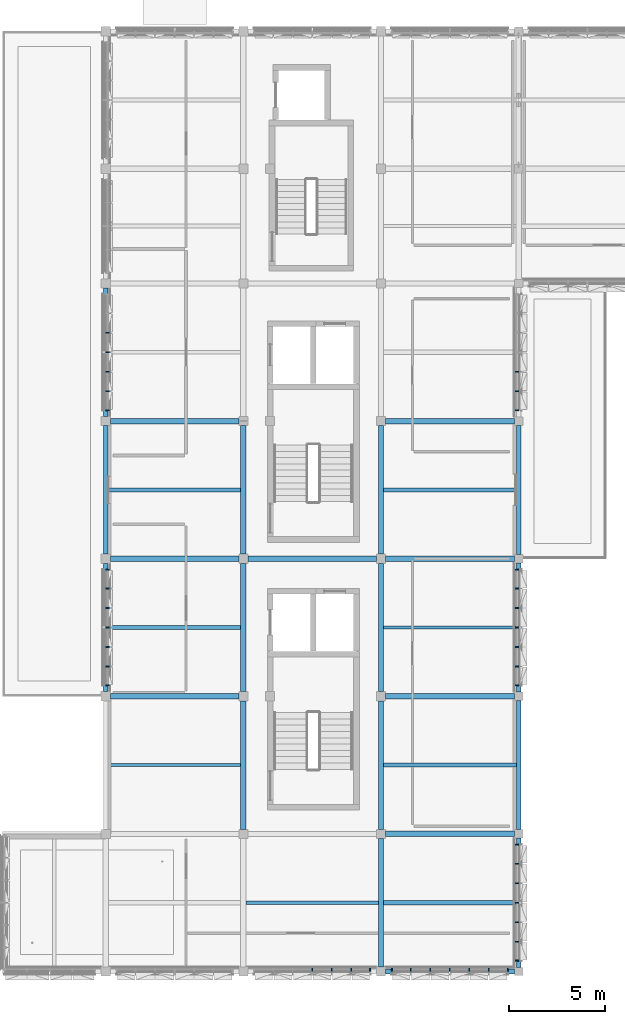
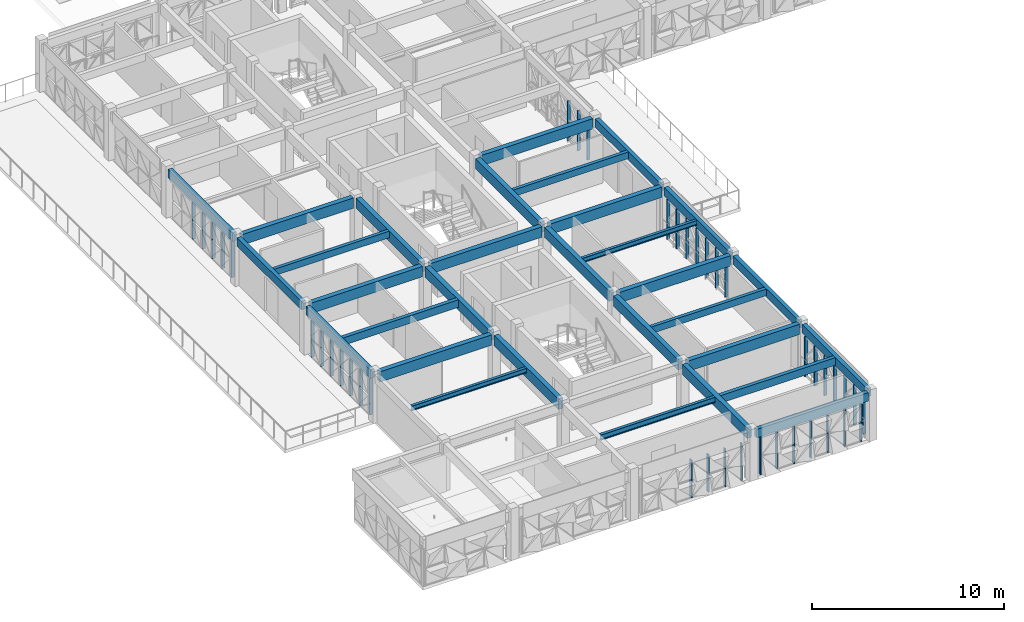
# One storey, part 3 of 35: 40 members, 31 beams, 7 elements without a shape of their own.
"""IFC4 building model written with IfcOpenShell, lengths in metres."""

import ifcopenshell
import ifcopenshell.guid

model = None  # the IFC model being written
_history = None  # IfcOwnerHistory: only IFC2X3 demands one
_inside = {}  # id of a spatial element -> (the spatial element, [elements in it])
_under = {}  # id of a project, library or spatial element -> (it, [spatial elements below it])
_declared = {}  # id of a project -> (the project, [libraries it declares])
_typed = {}  # id of a type object -> (the type object, [elements of that type])
_made_of = {}  # id of a material, layer set ... -> (it, [elements and type objects made of it])


def new_model(schema):
    """Start an empty IFC model of exactly this schema.

    Asked for "IFC4X3", IfcOpenShell would pick the latest addendum, in which some entities
    have other attributes; the version numbers below select the first issue.
    IFC2X3 requires an IfcOwnerHistory on every rooted entity: one is made here for all.
    """
    global model, _history
    if schema == "IFC4X3":
        model = ifcopenshell.file(schema_version=(4, 3, 0, 0))
    else:
        model = ifcopenshell.file(schema=schema)
    _inside.clear()
    _under.clear()
    _declared.clear()
    _typed.clear()
    _made_of.clear()
    _history = None
    if model.schema == "IFC2X3":
        org = make("IfcOrganization", Name="unknown")
        user = make(
            "IfcPersonAndOrganization",
            ThePerson=make("IfcPerson", FamilyName="unknown"),
            TheOrganization=org,
        )
        app = make(
            "IfcApplication",
            ApplicationDeveloper=org,
            Version="unknown",
            ApplicationFullName="unknown",
            ApplicationIdentifier="unknown",
        )
        _history = make(
            "IfcOwnerHistory",
            OwningUser=user,
            OwningApplication=app,
            ChangeAction="ADDED",
            CreationDate=0,
        )
    return model


def make(cls, **values):
    """One entity of the class cls with the attributes given. An attribute that is None is left unset."""
    return model.create_entity(
        cls, **{name: value for name, value in values.items() if value is not None}
    )


def rooted(cls, **values):
    """An entity with a GlobalId (a new one), such as an element, a storey or a relation."""
    return make(cls, GlobalId=ifcopenshell.guid.new(), OwnerHistory=_history, **values)


def si_unit(unit_type, name, prefix=None):
    """IfcSIUnit, for example si_unit("LENGTHUNIT", "METRE", prefix="MILLI")."""
    return make("IfcSIUnit", UnitType=unit_type, Prefix=prefix, Name=name)


def assignment(units):
    """IfcUnitAssignment: the units of a project."""
    return None if units is None else make("IfcUnitAssignment", Units=units)


def point(xyz):
    """IfcCartesianPoint."""
    return None if xyz is None else make("IfcCartesianPoint", Coordinates=xyz)


def direction(xyz):
    """IfcDirection."""
    return None if xyz is None else make("IfcDirection", DirectionRatios=xyz)


def frame(location, z_axis=None, x_axis=None):
    """IfcAxis2Placement3D, a coordinate frame: its origin and axes. An axis left out is left unset."""
    return make(
        "IfcAxis2Placement3D",
        Location=point(location),
        Axis=direction(z_axis),
        RefDirection=direction(x_axis),
    )


def frame_2d(location, x_axis=None):
    """IfcAxis2Placement2D, a coordinate frame in the plane: its origin and x axis."""
    return make(
        "IfcAxis2Placement2D", Location=point(location), RefDirection=direction(x_axis)
    )


def origin():
    """The frame at (0, 0, 0) with its axes left unset."""
    return frame((0.0, 0.0, 0.0))


def origin_2d():
    """The frame at (0, 0) in the plane with its x axis left unset."""
    return frame_2d((0.0, 0.0))


def place(relative_to, where):
    """IfcLocalPlacement: puts the frame where relative to a parent placement (None: the world)."""
    return make(
        "IfcLocalPlacement", PlacementRelTo=relative_to, RelativePlacement=where
    )


def context(
    kind, dimensions, precision=None, world=None, true_north=None, identifier=None
):
    """IfcGeometricRepresentationContext, for example the 3D "Model" context."""
    return make(
        "IfcGeometricRepresentationContext",
        ContextIdentifier=identifier,
        ContextType=kind,
        CoordinateSpaceDimension=dimensions,
        Precision=precision,
        WorldCoordinateSystem=world,
        TrueNorth=true_north,
    )


def subcontext(parent, identifier, kind, view, scale=None):
    """IfcGeometricRepresentationSubContext, for example "Body" below "Model"."""
    return make(
        "IfcGeometricRepresentationSubContext",
        ContextIdentifier=identifier,
        ContextType=kind,
        ParentContext=parent,
        TargetScale=scale,
        TargetView=view,
    )


def project(units=None, contexts=None):
    """IfcProject with its units and contexts."""
    return rooted(
        "IfcProject",
        Name="project",
        RepresentationContexts=contexts,
        UnitsInContext=assignment(units),
    )


def spatial(cls, under=None, at=None, **own):
    """A site, building, storey or space (cls), placed at a placement, below another one or the project."""
    s = rooted(cls, ObjectPlacement=at, **own)
    if under is not None:
        _under.setdefault(under.id(), (under, []))[1].append(s)
    return s


def profile(cls, at=None, kind="AREA", **sizes):
    """A parametric profile (cls). Its sizes go by their IFC names, for example OverallWidth=200.0."""
    return make(cls, ProfileType=kind, Position=at, **sizes)


def rectangle(**sizes):
    """IfcRectangleProfileDef."""
    return profile("IfcRectangleProfileDef", **sizes)


def i_section(**sizes):
    """IfcIShapeProfileDef."""
    return profile("IfcIShapeProfileDef", **sizes)


def extrude(swept, where, along, depth):
    """IfcExtrudedAreaSolid: the profile swept, set in the frame where, extruded along a direction by depth."""
    return make(
        "IfcExtrudedAreaSolid",
        SweptArea=swept,
        Position=where,
        ExtrudedDirection=direction(along),
        Depth=depth,
    )


def shape(context_of_items, identifier, shape_type, items):
    """IfcShapeRepresentation: the items that make up one representation, for example the "Body"."""
    return make(
        "IfcShapeRepresentation",
        ContextOfItems=context_of_items,
        RepresentationIdentifier=identifier,
        RepresentationType=shape_type,
        Items=items,
    )


def material(Name=None, Category=None):
    """IfcMaterial."""
    return make("IfcMaterial", Name=Name, Category=Category)


def material_profile(
    of_material, cross_section, Name=None, Category=None, Priority=None
):
    """IfcMaterialProfile: a cross section and its material."""
    return make(
        "IfcMaterialProfile",
        Name=Name,
        Material=of_material,
        Profile=cross_section,
        Priority=Priority,
        Category=Category,
    )


def profile_set(profiles, Name=None, composite=None):
    """IfcMaterialProfileSet."""
    return make(
        "IfcMaterialProfileSet",
        Name=Name,
        MaterialProfiles=profiles,
        CompositeProfile=composite,
    )


def made_of(thing, what):
    """Note that an element or type object is made of a material, layer set ...; save() writes the relation."""
    if what is not None:
        _made_of.setdefault(what.id(), (what, []))[1].append(thing)
    return thing


def type_object(cls, material=None, **own):
    """A type object (cls), such as IfcWallType, which elements share."""
    return made_of(rooted(cls, **own), material)


def element(
    cls,
    number,
    at=None,
    inside=None,
    cuts=None,
    type_object=None,
    material=None,
    context=None,
    identifier="Body",
    shape_type=None,
    held_by="IfcProductDefinitionShape",
    body=None,
    shapes=None,
    **own,
):
    """One element of the class cls, such as IfcWall. Its Tag is "e" and its number.

    at: its placement. inside: the storey or other place that contains it. cuts: it is an
    opening in that element (IfcRelVoidsElement). A single representation is given by context,
    identifier, shape_type and body (its items); several are given by shapes. held_by: the class
    of the entity that holds the representations. save() writes the other relations.
    """
    e = rooted(cls, Tag="e%d" % number, ObjectPlacement=at, **own)
    if body is not None:
        shapes = [shape(context, identifier, shape_type, body)]
    if shapes is not None:
        e.Representation = make(held_by, Representations=shapes)
    if inside is not None:
        _inside.setdefault(inside.id(), (inside, []))[1].append(e)
    if cuts is not None:
        rooted(
            "IfcRelVoidsElement", RelatingBuildingElement=cuts, RelatedOpeningElement=e
        )
    if type_object is not None:
        _typed.setdefault(type_object.id(), (type_object, []))[1].append(e)
    return made_of(e, material)


def aggregate(whole, parts):
    """IfcRelAggregates: a whole, such as a stair, and the parts it consists of."""
    return rooted("IfcRelAggregates", RelatingObject=whole, RelatedObjects=parts)


def save(model, path):
    """Write the relations noted so far, then the file.

    IfcRelAggregates (storeys below a building ...), IfcRelContainedInSpatialStructure (elements
    in a storey), IfcRelDefinesByType, IfcRelAssociatesMaterial and IfcRelDeclares: one each for
    every whole, place, type object, material and project.
    """
    for whole, parts in _under.values():
        aggregate(whole, parts)
    for where, things in _inside.values():
        rooted(
            "IfcRelContainedInSpatialStructure",
            RelatedElements=things,
            RelatingStructure=where,
        )
    for kind, things in _typed.values():
        rooted("IfcRelDefinesByType", RelatedObjects=things, RelatingType=kind)
    for what, things in _made_of.values():
        rooted("IfcRelAssociatesMaterial", RelatedObjects=things, RelatingMaterial=what)
    for by, libraries in _declared.values():
        rooted("IfcRelDeclares", RelatingContext=by, RelatedDefinitions=libraries)
    model.write(path)


model = new_model("IFC4")

# Units and contexts
model_context = context("Model", 3, precision=1e-05, world=origin(), true_north=direction((0.0, 1.0)))
body_context = subcontext(model_context, "Body", "Model", "MODEL_VIEW")
ifc_project = project(units=[si_unit("LENGTHUNIT", "METRE"), si_unit("AREAUNIT", "SQUARE_METRE"), si_unit("VOLUMEUNIT", "CUBIC_METRE"), si_unit("PLANEANGLEUNIT", "RADIAN"), si_unit("MASSUNIT", "GRAM", prefix="KILO")], contexts=[model_context])

# Site, building, storey
site_placement = place(None, origin())
site = spatial("IfcSite", under=ifc_project, at=site_placement, CompositionType="ELEMENT")
building_placement = place(site_placement, origin())
building = spatial("IfcBuilding", under=site, at=building_placement, Name="Alvorim Cloister Faculty of Sciences", CompositionType="ELEMENT")
storey_placement = place(building_placement, frame((0.0, 0.0, 22.949951171875)))
storey = spatial("IfcBuildingStorey", under=building, at=storey_placement, Name="L06", CompositionType="ELEMENT", Elevation=22.949951171875)

# Beams
ifc_material_1 = material(Name="Glulam GL28h", Category="wood")
ifc_material_profile_1 = material_profile(ifc_material_1, rectangle(XDim=0.280029296875, YDim=0.659912109375, at=origin_2d()), Name="GL28-BM-280x660")
ifc_profile_set_1 = profile_set([ifc_material_profile_1], Name="Glulam GL28h")
beam_type_1 = type_object("IfcBeamType", Name="BM-GL-280x660", PredefinedType="BEAM", material=ifc_profile_set_1)
beam_1_placement = place(storey_placement, frame((21.840087890625, 14.39990234375, 2.760009765625), z_axis=(1.0, 0.0, 0.0), x_axis=(0.0, 1.0, 0.0)))
element("IfcBeam", 1, at=beam_1_placement, inside=storey, type_object=beam_type_1, Name="L06 Primary Beam BM-2039", PredefinedType="BEAM", context=body_context, shape_type="SweptSolid", body=[
    extrude(rectangle(XDim=0.280029296875, YDim=0.659912109375, at=origin_2d()), origin(), (0.0, 0.0, 1.0), 6.739990234375),
])
beam_2_placement = place(storey_placement, frame((7.43994140625, 21.60009765625, 2.760009765625), z_axis=(1.0, 0.0, 0.0), x_axis=(0.0, 1.0, 0.0)))
element("IfcBeam", 2, at=beam_2_placement, inside=storey, type_object=beam_type_1, Name="L06 Primary Beam BM-2040", PredefinedType="BEAM", context=body_context, shape_type="SweptSolid", body=[
    extrude(rectangle(XDim=0.280029296875, YDim=0.659912109375, at=origin_2d()), origin(), (0.0, 0.0, 1.0), 6.719970703125),
])
beam_3_placement = place(storey_placement, frame((21.840087890625, 21.60009765625, 2.760009765625), z_axis=(1.0, 0.0, 0.0), x_axis=(0.0, 1.0, 0.0)))
element("IfcBeam", 3, at=beam_3_placement, inside=storey, type_object=beam_type_1, Name="L06 Primary Beam BM-2041", PredefinedType="BEAM", context=body_context, shape_type="SweptSolid", body=[
    extrude(rectangle(XDim=0.280029296875, YDim=0.659912109375, at=origin_2d()), origin(), (0.0, 0.0, 1.0), 6.739990234375),
])
beam_4_placement = place(storey_placement, frame((7.43994140625, 28.800048828125, 2.760009765625), z_axis=(1.0, 0.0, 0.0), x_axis=(0.0, 1.0, 0.0)))
element("IfcBeam", 4, at=beam_4_placement, inside=storey, type_object=beam_type_1, Name="L06 Primary Beam BM-2042", PredefinedType="BEAM", context=body_context, shape_type="SweptSolid", body=[
    extrude(rectangle(XDim=0.280029296875, YDim=0.659912109375, at=origin_2d()), origin(), (0.0, 0.0, 1.0), 6.719970703125),
])
beam_5_placement = place(storey_placement, frame((14.639892578125, 28.800048828125, 2.760009765625), z_axis=(1.0, 0.0, 0.0), x_axis=(0.0, 1.0, 0.0)))
element("IfcBeam", 5, at=beam_5_placement, inside=storey, type_object=beam_type_1, Name="L06 Primary Beam BM-2043", PredefinedType="BEAM", context=body_context, shape_type="SweptSolid", body=[
    extrude(rectangle(XDim=0.280029296875, YDim=0.659912109375, at=origin_2d()), origin(), (0.0, 0.0, 1.0), 6.72021484375),
])
beam_6_placement = place(storey_placement, frame((21.840087890625, 28.800048828125, 2.760009765625), z_axis=(1.0, 0.0, 0.0), x_axis=(0.0, 1.0, 0.0)))
element("IfcBeam", 6, at=beam_6_placement, inside=storey, type_object=beam_type_1, Name="L06 Primary Beam BM-2044", PredefinedType="BEAM", context=body_context, shape_type="SweptSolid", body=[
    extrude(rectangle(XDim=0.280029296875, YDim=0.659912109375, at=origin_2d()), origin(), (0.0, 0.0, 1.0), 6.739990234375),
])
beam_7_placement = place(storey_placement, frame((7.43994140625, 36.0, 2.760009765625), z_axis=(1.0, 0.0, 0.0), x_axis=(0.0, 1.0, 0.0)))
element("IfcBeam", 7, at=beam_7_placement, inside=storey, type_object=beam_type_1, Name="L06 Primary Beam BM-2045", PredefinedType="BEAM", context=body_context, shape_type="SweptSolid", body=[
    extrude(rectangle(XDim=0.280029296875, YDim=0.659912109375, at=origin_2d()), origin(), (0.0, 0.0, 1.0), 6.719970703125),
])
beam_8_placement = place(storey_placement, frame((21.840087890625, 36.0, 2.760009765625), z_axis=(1.0, 0.0, 0.0), x_axis=(0.0, 1.0, 0.0)))
element("IfcBeam", 8, at=beam_8_placement, inside=storey, type_object=beam_type_1, Name="L06 Primary Beam BM-2046", PredefinedType="BEAM", context=body_context, shape_type="SweptSolid", body=[
    extrude(rectangle(XDim=0.280029296875, YDim=0.659912109375, at=origin_2d()), origin(), (0.0, 0.0, 1.0), 6.739990234375),
])
beam_9_placement = place(storey_placement, frame((14.39990234375, 14.639892578125, 2.760009765625), z_axis=(0.0, 1.0, 0.0), x_axis=(-1.0, 0.0, 0.0)))
element("IfcBeam", 9, at=beam_9_placement, inside=storey, type_object=beam_type_1, Name="L06 Primary Girder BM-2072", PredefinedType="BEAM", context=body_context, shape_type="SweptSolid", body=[
    extrude(rectangle(XDim=0.280029296875, YDim=0.659912109375, at=origin_2d()), origin(), (0.0, 0.0, 1.0), 6.72021484375),
])
for number, where, z_axis, x_axis, name in (
    (10, (14.39990234375, 21.840087890625, 2.760009765625), (0.0, 1.0, 0.0), (-1.0, 0.0, 0.0), "L06 Primary Girder BM-2073"),
    (11, (14.39990234375, 29.0400390625, 2.760009765625), (0.0, 1.0, 0.0), (-1.0, 0.0, 0.0), "L06 Primary Girder BM-2074"),
    (12, (21.60009765625, 7.43994140625, 2.760009765625), (0.0, 1.0, 0.0), (-1.0, 0.0, 0.0), "L06 Primary Girder BM-2078"),
):
    element("IfcBeam", number, at=place(storey_placement, frame(where, z_axis=z_axis, x_axis=x_axis)), inside=storey, type_object=beam_type_1, Name=name, PredefinedType="BEAM", context=body_context, shape_type="SweptSolid", body=[
        extrude(rectangle(XDim=0.280029296875, YDim=0.659912109375, at=origin_2d()), origin(), (0.0, 0.0, 1.0), 6.719970703125),
    ])
beam_10_placement = place(storey_placement, frame((21.60009765625, 14.639892578125, 2.760009765625), z_axis=(0.0, 1.0, 0.0), x_axis=(-1.0, 0.0, 0.0)))
element("IfcBeam", 13, at=beam_10_placement, inside=storey, type_object=beam_type_1, Name="L06 Primary Girder BM-2079", PredefinedType="BEAM", context=body_context, shape_type="SweptSolid", body=[
    extrude(rectangle(XDim=0.280029296875, YDim=0.659912109375, at=origin_2d()), origin(), (0.0, 0.0, 1.0), 6.72021484375),
])
for number, where, z_axis, x_axis, name in (
    (14, (21.60009765625, 21.840087890625, 2.760009765625), (0.0, 1.0, 0.0), (-1.0, 0.0, 0.0), "L06 Primary Girder BM-2080"),
    (15, (21.60009765625, 29.0400390625, 2.760009765625), (0.0, 1.0, 0.0), (-1.0, 0.0, 0.0), "L06 Primary Girder BM-2081"),
):
    element("IfcBeam", number, at=place(storey_placement, frame(where, z_axis=z_axis, x_axis=x_axis)), inside=storey, type_object=beam_type_1, Name=name, PredefinedType="BEAM", context=body_context, shape_type="SweptSolid", body=[
        extrude(rectangle(XDim=0.280029296875, YDim=0.659912109375, at=origin_2d()), origin(), (0.0, 0.0, 1.0), 6.719970703125),
    ])
ifc_material_profile_2 = material_profile(ifc_material_1, rectangle(XDim=0.199951171875, YDim=0.419921875, at=origin_2d()), Name="GL28-JST-200x420")
ifc_profile_set_2 = profile_set([ifc_material_profile_2], Name="Glulam GL28h")
beam_type_2 = type_object("IfcBeamType", Name="BM-JST-GL-200x420", PredefinedType="JOIST", material=ifc_profile_set_2)
for number, where, z_axis, x_axis, name in (
    (16, (7.320068359375, 32.39990234375, 2.880126953125), (1.0, 0.0, 0.0), (0.0, 1.0, 0.0), "L06 Secondary Floor Joist BM-2101"),
    (17, (21.739990234375, 18.0, 2.880126953125), (1.0, 0.0, 0.0), (0.0, 1.0, 0.0), "L06 Secondary Floor Joist BM-2107"),
    (18, (21.739990234375, 32.39990234375, 2.880126953125), (1.0, 0.0, 0.0), (0.0, 1.0, 0.0), "L06 Secondary Floor Joist BM-2109"),
):
    element("IfcBeam", number, at=place(storey_placement, frame(where, z_axis=z_axis, x_axis=x_axis)), inside=storey, type_object=beam_type_2, Name=name, PredefinedType="JOIST", context=body_context, shape_type="SweptSolid", body=[
        extrude(rectangle(XDim=0.199951171875, YDim=0.419921875, at=origin_2d()), origin(), (0.0, 0.0, 1.0), 6.93994140625),
    ])
ifc_material_profile_3 = material_profile(ifc_material_1, rectangle(XDim=0.219970703125, YDim=0.47998046875, at=origin_2d()), Name="GL28-JST-220x480")
ifc_profile_set_3 = profile_set([ifc_material_profile_3], Name="Glulam GL28h")
beam_type_3 = type_object("IfcBeamType", Name="BM-JST-GL-220x480", PredefinedType="JOIST", material=ifc_profile_set_3)
for number, where, z_axis, x_axis, name in (
    (19, (7.320068359375, 25.199951171875, 2.85009765625), (1.0, 0.0, 0.0), (0.0, 1.0, 0.0), "L06 Secondary Floor Joist BM-2100"),
    (20, (21.739990234375, 10.800048828125, 2.85009765625), (1.0, 0.0, 0.0), (0.0, 1.0, 0.0), "L06 Secondary Floor Joist BM-2106"),
):
    element("IfcBeam", number, at=place(storey_placement, frame(where, z_axis=z_axis, x_axis=x_axis)), inside=storey, type_object=beam_type_3, Name=name, PredefinedType="JOIST", context=body_context, shape_type="SweptSolid", body=[
        extrude(rectangle(XDim=0.219970703125, YDim=0.47998046875, at=origin_2d()), origin(), (0.0, 0.0, 1.0), 6.93994140625),
    ])
ifc_material_profile_4 = material_profile(ifc_material_1, rectangle(XDim=0.239990234375, YDim=0.5400390625, at=origin_2d()), Name="GL28-SPD-240x540")
ifc_profile_set_4 = profile_set([ifc_material_profile_4], Name="Glulam GL28h")
beam_type_4 = type_object("IfcBeamType", Name="BM-SPD-GL-240x540", PredefinedType="SPANDREL", material=ifc_profile_set_4)
beam_11_placement = place(storey_placement, frame((21.840087890625, 7.199951171875, 2.820068359375), z_axis=(1.0, 0.0, 0.0), x_axis=(0.0, 1.0, 0.0)))
element("IfcBeam", 21, at=beam_11_placement, inside=storey, type_object=beam_type_4, Name="L06 Primary Beam BM-2038", PredefinedType="SPANDREL", context=body_context, shape_type="SweptSolid", body=[
    extrude(rectangle(XDim=0.239990234375, YDim=0.5400390625, at=origin_2d()), origin(), (0.0, 0.0, 1.0), 6.739990234375),
])
for number, where, z_axis, x_axis, name in (
    (22, (7.199951171875, 21.840087890625, 2.820068359375), (0.0, 1.0, 0.0), (-1.0, 0.0, 0.0), "L06 Primary Girder BM-2066"),
    (23, (7.199951171875, 29.0400390625, 2.820068359375), (0.0, 1.0, 0.0), (-1.0, 0.0, 0.0), "L06 Primary Girder BM-2067"),
    (24, (7.199951171875, 36.239990234375, 2.820068359375), (0.0, 1.0, 0.0), (-1.0, 0.0, 0.0), "L06 Primary Girder BM-2068"),
):
    element("IfcBeam", number, at=place(storey_placement, frame(where, z_axis=z_axis, x_axis=x_axis)), inside=storey, type_object=beam_type_4, Name=name, PredefinedType="SPANDREL", context=body_context, shape_type="SweptSolid", body=[
        extrude(rectangle(XDim=0.239990234375, YDim=0.5400390625, at=origin_2d()), origin(), (0.0, 0.0, 1.0), 6.719970703125),
    ])
beam_12_placement = place(storey_placement, frame((28.800048828125, 7.419921875, 2.820068359375), z_axis=(0.0, 1.0, 0.0), x_axis=(-1.0, 0.0, 0.0)))
element("IfcBeam", 25, at=beam_12_placement, inside=storey, type_object=beam_type_4, Name="L06 Primary Girder BM-2085", PredefinedType="SPANDREL", context=body_context, shape_type="SweptSolid", body=[
    extrude(rectangle(XDim=0.239990234375, YDim=0.5400390625, at=origin_2d()), origin(), (0.0, 0.0, 1.0), 6.760009765625),
])
beam_13_placement = place(storey_placement, frame((28.800048828125, 14.6201171875, 2.820068359375), z_axis=(0.0, 1.0, 0.0), x_axis=(-1.0, 0.0, 0.0)))
element("IfcBeam", 26, at=beam_13_placement, inside=storey, type_object=beam_type_4, Name="L06 Primary Girder BM-2086", PredefinedType="SPANDREL", context=body_context, shape_type="SweptSolid", body=[
    extrude(rectangle(XDim=0.239990234375, YDim=0.5400390625, at=origin_2d()), origin(), (0.0, 0.0, 1.0), 6.759765625),
])
for number, where, z_axis, x_axis, name in (
    (27, (28.800048828125, 21.820068359375, 2.820068359375), (0.0, 1.0, 0.0), (-1.0, 0.0, 0.0), "L06 Primary Girder BM-2087"),
    (28, (28.800048828125, 29.02001953125, 2.820068359375), (0.0, 1.0, 0.0), (-1.0, 0.0, 0.0), "L06 Primary Girder BM-2088"),
):
    element("IfcBeam", number, at=place(storey_placement, frame(where, z_axis=z_axis, x_axis=x_axis)), inside=storey, type_object=beam_type_4, Name=name, PredefinedType="SPANDREL", context=body_context, shape_type="SweptSolid", body=[
        extrude(rectangle(XDim=0.239990234375, YDim=0.5400390625, at=origin_2d()), origin(), (0.0, 0.0, 1.0), 6.760009765625),
    ])
ifc_material_2 = material(Name="Steel ASTM A572 Grade 50", Category="steel")
ifc_material_profile_5 = material_profile(ifc_material_2, i_section(OverallWidth=0.1650390625, OverallDepth=0.31005859375, WebThickness=0.005859375, FlangeThickness=0.009765625, FilletRadius=0.010986328125, at=origin_2d()), Name="W310x38.7")
ifc_profile_set_5 = profile_set([ifc_material_profile_5], Name="Steel ASTM A572 Grade 50")
beam_type_5 = type_object("IfcBeamType", Name="BM-STL-W310", PredefinedType="JOIST", material=ifc_profile_set_5)
for number, where, z_axis, x_axis, name in (
    (29, (7.320068359375, 18.0, 2.93505859375), (1.0, 0.0, 0.0), (0.0, 1.0, 0.0), "L06 Secondary Floor Joist BM-2099"),
    (30, (21.739990234375, 25.199951171875, 2.93505859375), (1.0, 0.0, 0.0), (0.0, 1.0, 0.0), "L06 Secondary Floor Joist BM-2108"),
):
    element("IfcBeam", number, at=place(storey_placement, frame(where, z_axis=z_axis, x_axis=x_axis)), inside=storey, type_object=beam_type_5, Name=name, PredefinedType="JOIST", context=body_context, shape_type="SweptSolid", body=[
        extrude(i_section(OverallWidth=0.1650390625, OverallDepth=0.31005859375, WebThickness=0.005859375, FlangeThickness=0.009765625, FilletRadius=0.010986328125, at=origin_2d()), origin(), (0.0, 0.0, 1.0), 6.93994140625),
    ])
ifc_material_profile_6 = material_profile(ifc_material_2, i_section(OverallWidth=0.1708984375, OverallDepth=0.35498046875, WebThickness=0.007080078125, FlangeThickness=0.01171875, FilletRadius=0.012939453125, at=origin_2d()), Name="W360x51.0")
ifc_profile_set_6 = profile_set([ifc_material_profile_6], Name="Steel ASTM A572 Grade 50")
beam_type_6 = type_object("IfcBeamType", Name="BM-STL-W360", PredefinedType="JOIST", material=ifc_profile_set_6)
beam_14_placement = place(storey_placement, frame((14.5400390625, 10.800048828125, 2.91259765625), z_axis=(1.0, 0.0, 0.0), x_axis=(0.0, 1.0, 0.0)))
element("IfcBeam", 31, at=beam_14_placement, inside=storey, type_object=beam_type_6, Name="L06 Secondary Floor Joist BM-2105", PredefinedType="JOIST", context=body_context, shape_type="SweptSolid", body=[
    extrude(i_section(OverallWidth=0.1708984375, OverallDepth=0.35498046875, WebThickness=0.007080078125, FlangeThickness=0.01171875, FilletRadius=0.012939453125, at=origin_2d()), origin(), (0.0, 0.0, 1.0), 6.919921875),
])

# Curtain wall, members
ifc_material_3 = material(Name="Aluminium and Low-E Glass Curtain Wall", Category="aluminium")
curtain_wall_type_1 = type_object("IfcCurtainWallType", Name="CW-TRI-6120x2550", PredefinedType="USERDEFINED", material=ifc_material_3)
curtain_wall_1_placement = place(storey_placement, origin())
curtain_wall_1 = element("IfcCurtainWall", 32, at=curtain_wall_1_placement, inside=storey, type_object=curtain_wall_type_1, Name="L06 Diagonal Cassette Curtain Wall CW-0241", ObjectType="UNITISED CURTAIN WALL", PredefinedType="USERDEFINED")
ifc_material_4 = material(Name="Aluminium Alloy 6063-T6", Category="aluminium")
ifc_material_profile_7 = material_profile(ifc_material_4, rectangle(XDim=0.06494140625, YDim=0.179931640625, at=origin_2d()), Name="ALU-MUL-65x180")
ifc_profile_set_7 = profile_set([ifc_material_profile_7], Name="Aluminium Alloy 6063-T6")
member_type = type_object("IfcMemberType", Name="CW-MUL-65x180", PredefinedType="MULLION", material=ifc_profile_set_7)
member_1_placement = place(storey_placement, frame((7.2900390625, 22.172607421875, 0.0), z_axis=(0.0, 0.0, 1.0), x_axis=(0.0, 1.0, 0.0)))
member_1 = element("IfcMember", 33, at=member_1_placement, type_object=member_type, Name="CW-0241 Mullion 1", PredefinedType="MULLION", context=body_context, shape_type="SweptSolid", body=[
    extrude(rectangle(XDim=0.06494140625, YDim=0.179931640625, at=origin_2d()), origin(), (0.0, 0.0, 1.0), 2.550048828125),
])
member_2_placement = place(storey_placement, frame((7.2900390625, 23.159912109375, 0.0), z_axis=(0.0, 0.0, 1.0), x_axis=(0.0, 1.0, 0.0)))
member_2 = element("IfcMember", 34, at=member_2_placement, type_object=member_type, Name="CW-0241 Mullion 2", PredefinedType="MULLION", context=body_context, shape_type="SweptSolid", body=[
    extrude(rectangle(XDim=0.06494140625, YDim=0.179931640625, at=origin_2d()), origin(), (0.0, 0.0, 1.0), 2.550048828125),
])
member_3_placement = place(storey_placement, frame((7.2900390625, 24.179931640625, 0.0), z_axis=(0.0, 0.0, 1.0), x_axis=(0.0, 1.0, 0.0)))
member_3 = element("IfcMember", 35, at=member_3_placement, type_object=member_type, Name="CW-0241 Mullion 3", PredefinedType="MULLION", context=body_context, shape_type="SweptSolid", body=[
    extrude(rectangle(XDim=0.06494140625, YDim=0.179931640625, at=origin_2d()), origin(), (0.0, 0.0, 1.0), 2.550048828125),
])
member_4_placement = place(storey_placement, frame((7.2900390625, 25.199951171875, 0.0), z_axis=(0.0, 0.0, 1.0), x_axis=(0.0, 1.0, 0.0)))
member_4 = element("IfcMember", 36, at=member_4_placement, type_object=member_type, Name="CW-0241 Mullion 4", PredefinedType="MULLION", context=body_context, shape_type="SweptSolid", body=[
    extrude(rectangle(XDim=0.06494140625, YDim=0.179931640625, at=origin_2d()), origin(), (0.0, 0.0, 1.0), 2.550048828125),
])
member_5_placement = place(storey_placement, frame((7.2900390625, 26.219970703125, 0.0), z_axis=(0.0, 0.0, 1.0), x_axis=(0.0, 1.0, 0.0)))
member_5 = element("IfcMember", 37, at=member_5_placement, type_object=member_type, Name="CW-0241 Mullion 5", PredefinedType="MULLION", context=body_context, shape_type="SweptSolid", body=[
    extrude(rectangle(XDim=0.06494140625, YDim=0.179931640625, at=origin_2d()), origin(), (0.0, 0.0, 1.0), 2.550048828125),
])
member_6_placement = place(storey_placement, frame((7.2900390625, 27.239990234375, 0.0), z_axis=(0.0, 0.0, 1.0), x_axis=(0.0, 1.0, 0.0)))
member_6 = element("IfcMember", 38, at=member_6_placement, type_object=member_type, Name="CW-0241 Mullion 6", PredefinedType="MULLION", context=body_context, shape_type="SweptSolid", body=[
    extrude(rectangle(XDim=0.06494140625, YDim=0.179931640625, at=origin_2d()), origin(), (0.0, 0.0, 1.0), 2.550048828125),
])
member_7_placement = place(storey_placement, frame((7.2900390625, 28.2275390625, 0.0), z_axis=(0.0, 0.0, 1.0), x_axis=(0.0, 1.0, 0.0)))
member_7 = element("IfcMember", 39, at=member_7_placement, type_object=member_type, Name="CW-0241 Mullion 7", PredefinedType="MULLION", context=body_context, shape_type="SweptSolid", body=[
    extrude(rectangle(XDim=0.06494140625, YDim=0.179931640625, at=origin_2d()), origin(), (0.0, 0.0, 1.0), 2.550048828125),
])
aggregate(curtain_wall_1, [member_1, member_2, member_3, member_4, member_5, member_6, member_7])

curtain_wall_2_placement = place(storey_placement, origin())
curtain_wall_2 = element("IfcCurtainWall", 40, at=curtain_wall_2_placement, inside=storey, type_object=curtain_wall_type_1, Name="L06 Diagonal Cassette Curtain Wall CW-0242", ObjectType="UNITISED CURTAIN WALL", PredefinedType="USERDEFINED")
member_8_placement = place(storey_placement, frame((7.2900390625, 36.572509765625, 0.0), z_axis=(0.0, 0.0, 1.0), x_axis=(0.0, 1.0, 0.0)))
member_8 = element("IfcMember", 41, at=member_8_placement, type_object=member_type, Name="CW-0242 Mullion 1", PredefinedType="MULLION", context=body_context, shape_type="SweptSolid", body=[
    extrude(rectangle(XDim=0.06494140625, YDim=0.179931640625, at=origin_2d()), origin(), (0.0, 0.0, 1.0), 2.550048828125),
])
member_9_placement = place(storey_placement, frame((7.2900390625, 37.56005859375, 0.0), z_axis=(0.0, 0.0, 1.0), x_axis=(0.0, 1.0, 0.0)))
member_9 = element("IfcMember", 42, at=member_9_placement, type_object=member_type, Name="CW-0242 Mullion 2", PredefinedType="MULLION", context=body_context, shape_type="SweptSolid", body=[
    extrude(rectangle(XDim=0.06494140625, YDim=0.179931640625, at=origin_2d()), origin(), (0.0, 0.0, 1.0), 2.550048828125),
])
member_10_placement = place(storey_placement, frame((7.2900390625, 38.580078125, 0.0), z_axis=(0.0, 0.0, 1.0), x_axis=(0.0, 1.0, 0.0)))
member_10 = element("IfcMember", 43, at=member_10_placement, type_object=member_type, Name="CW-0242 Mullion 3", PredefinedType="MULLION", context=body_context, shape_type="SweptSolid", body=[
    extrude(rectangle(XDim=0.06494140625, YDim=0.179931640625, at=origin_2d()), origin(), (0.0, 0.0, 1.0), 2.550048828125),
])
member_11_placement = place(storey_placement, frame((7.2900390625, 39.60009765625, 0.0), z_axis=(0.0, 0.0, 1.0), x_axis=(0.0, 1.0, 0.0)))
member_11 = element("IfcMember", 44, at=member_11_placement, type_object=member_type, Name="CW-0242 Mullion 4", PredefinedType="MULLION", context=body_context, shape_type="SweptSolid", body=[
    extrude(rectangle(XDim=0.06494140625, YDim=0.179931640625, at=origin_2d()), origin(), (0.0, 0.0, 1.0), 2.550048828125),
])
member_12_placement = place(storey_placement, frame((7.2900390625, 40.6201171875, 0.0), z_axis=(0.0, 0.0, 1.0), x_axis=(0.0, 1.0, 0.0)))
member_12 = element("IfcMember", 45, at=member_12_placement, type_object=member_type, Name="CW-0242 Mullion 5", PredefinedType="MULLION", context=body_context, shape_type="SweptSolid", body=[
    extrude(rectangle(XDim=0.06494140625, YDim=0.179931640625, at=origin_2d()), origin(), (0.0, 0.0, 1.0), 2.550048828125),
])
aggregate(curtain_wall_2, [member_8, member_9, member_10, member_11, member_12])

curtain_wall_3_placement = place(storey_placement, origin())
curtain_wall_3 = element("IfcCurtainWall", 46, at=curtain_wall_3_placement, inside=storey, type_object=curtain_wall_type_1, Name="L06 Diagonal Cassette Curtain Wall CW-0255", ObjectType="UNITISED CURTAIN WALL", PredefinedType="USERDEFINED")
member_13_placement = place(storey_placement, frame((28.7099609375, 36.572509765625, 0.0), z_axis=(0.0, 0.0, 1.0), x_axis=(0.0, 1.0, 0.0)))
member_13 = element("IfcMember", 47, at=member_13_placement, type_object=member_type, Name="CW-0255 Mullion 1", PredefinedType="MULLION", context=body_context, shape_type="SweptSolid", body=[
    extrude(rectangle(XDim=0.06494140625, YDim=0.179931640625, at=origin_2d()), origin(), (0.0, 0.0, 1.0), 2.550048828125),
])
member_14_placement = place(storey_placement, frame((28.7099609375, 37.56005859375, 0.0), z_axis=(0.0, 0.0, 1.0), x_axis=(0.0, 1.0, 0.0)))
member_14 = element("IfcMember", 48, at=member_14_placement, type_object=member_type, Name="CW-0255 Mullion 2", PredefinedType="MULLION", context=body_context, shape_type="SweptSolid", body=[
    extrude(rectangle(XDim=0.06494140625, YDim=0.179931640625, at=origin_2d()), origin(), (0.0, 0.0, 1.0), 2.550048828125),
])
member_15_placement = place(storey_placement, frame((28.7099609375, 38.580078125, 0.0), z_axis=(0.0, 0.0, 1.0), x_axis=(0.0, 1.0, 0.0)))
member_15 = element("IfcMember", 49, at=member_15_placement, type_object=member_type, Name="CW-0255 Mullion 3", PredefinedType="MULLION", context=body_context, shape_type="SweptSolid", body=[
    extrude(rectangle(XDim=0.06494140625, YDim=0.179931640625, at=origin_2d()), origin(), (0.0, 0.0, 1.0), 2.550048828125),
])
aggregate(curtain_wall_3, [member_13, member_14, member_15])

curtain_wall_4_placement = place(storey_placement, origin())
curtain_wall_4 = element("IfcCurtainWall", 50, at=curtain_wall_4_placement, inside=storey, type_object=curtain_wall_type_1, Name="L06 Diagonal Cassette Curtain Wall CW-0256", ObjectType="UNITISED CURTAIN WALL", PredefinedType="USERDEFINED")
member_16_placement = place(storey_placement, frame((28.7099609375, 22.172607421875, 0.0), z_axis=(0.0, 0.0, 1.0), x_axis=(0.0, 1.0, 0.0)))
member_16 = element("IfcMember", 51, at=member_16_placement, type_object=member_type, Name="CW-0256 Mullion 1", PredefinedType="MULLION", context=body_context, shape_type="SweptSolid", body=[
    extrude(rectangle(XDim=0.06494140625, YDim=0.179931640625, at=origin_2d()), origin(), (0.0, 0.0, 1.0), 2.550048828125),
])
member_17_placement = place(storey_placement, frame((28.7099609375, 23.159912109375, 0.0), z_axis=(0.0, 0.0, 1.0), x_axis=(0.0, 1.0, 0.0)))
member_17 = element("IfcMember", 52, at=member_17_placement, type_object=member_type, Name="CW-0256 Mullion 2", PredefinedType="MULLION", context=body_context, shape_type="SweptSolid", body=[
    extrude(rectangle(XDim=0.06494140625, YDim=0.179931640625, at=origin_2d()), origin(), (0.0, 0.0, 1.0), 2.550048828125),
])
member_18_placement = place(storey_placement, frame((28.7099609375, 24.179931640625, 0.0), z_axis=(0.0, 0.0, 1.0), x_axis=(0.0, 1.0, 0.0)))
member_18 = element("IfcMember", 53, at=member_18_placement, type_object=member_type, Name="CW-0256 Mullion 3", PredefinedType="MULLION", context=body_context, shape_type="SweptSolid", body=[
    extrude(rectangle(XDim=0.06494140625, YDim=0.179931640625, at=origin_2d()), origin(), (0.0, 0.0, 1.0), 2.550048828125),
])
member_19_placement = place(storey_placement, frame((28.7099609375, 25.199951171875, 0.0), z_axis=(0.0, 0.0, 1.0), x_axis=(0.0, 1.0, 0.0)))
member_19 = element("IfcMember", 54, at=member_19_placement, type_object=member_type, Name="CW-0256 Mullion 4", PredefinedType="MULLION", context=body_context, shape_type="SweptSolid", body=[
    extrude(rectangle(XDim=0.06494140625, YDim=0.179931640625, at=origin_2d()), origin(), (0.0, 0.0, 1.0), 2.550048828125),
])
member_20_placement = place(storey_placement, frame((28.7099609375, 26.219970703125, 0.0), z_axis=(0.0, 0.0, 1.0), x_axis=(0.0, 1.0, 0.0)))
member_20 = element("IfcMember", 55, at=member_20_placement, type_object=member_type, Name="CW-0256 Mullion 5", PredefinedType="MULLION", context=body_context, shape_type="SweptSolid", body=[
    extrude(rectangle(XDim=0.06494140625, YDim=0.179931640625, at=origin_2d()), origin(), (0.0, 0.0, 1.0), 2.550048828125),
])
member_21_placement = place(storey_placement, frame((28.7099609375, 27.239990234375, 0.0), z_axis=(0.0, 0.0, 1.0), x_axis=(0.0, 1.0, 0.0)))
member_21 = element("IfcMember", 56, at=member_21_placement, type_object=member_type, Name="CW-0256 Mullion 6", PredefinedType="MULLION", context=body_context, shape_type="SweptSolid", body=[
    extrude(rectangle(XDim=0.06494140625, YDim=0.179931640625, at=origin_2d()), origin(), (0.0, 0.0, 1.0), 2.550048828125),
])
member_22_placement = place(storey_placement, frame((28.7099609375, 28.2275390625, 0.0), z_axis=(0.0, 0.0, 1.0), x_axis=(0.0, 1.0, 0.0)))
member_22 = element("IfcMember", 57, at=member_22_placement, type_object=member_type, Name="CW-0256 Mullion 7", PredefinedType="MULLION", context=body_context, shape_type="SweptSolid", body=[
    extrude(rectangle(XDim=0.06494140625, YDim=0.179931640625, at=origin_2d()), origin(), (0.0, 0.0, 1.0), 2.550048828125),
])
aggregate(curtain_wall_4, [member_16, member_17, member_18, member_19, member_20, member_21, member_22])

curtain_wall_5_placement = place(storey_placement, origin())
curtain_wall_5 = element("IfcCurtainWall", 58, at=curtain_wall_5_placement, inside=storey, type_object=curtain_wall_type_1, Name="L06 Diagonal Cassette Curtain Wall CW-0257", ObjectType="UNITISED CURTAIN WALL", PredefinedType="USERDEFINED")
member_23_placement = place(storey_placement, frame((28.7099609375, 7.7724609375, 0.0), z_axis=(0.0, 0.0, 1.0), x_axis=(0.0, 1.0, 0.0)))
member_23 = element("IfcMember", 59, at=member_23_placement, type_object=member_type, Name="CW-0257 Mullion 1", PredefinedType="MULLION", context=body_context, shape_type="SweptSolid", body=[
    extrude(rectangle(XDim=0.06494140625, YDim=0.179931640625, at=origin_2d()), origin(), (0.0, 0.0, 1.0), 2.550048828125),
])
member_24_placement = place(storey_placement, frame((28.7099609375, 8.760009765625, 0.0), z_axis=(0.0, 0.0, 1.0), x_axis=(0.0, 1.0, 0.0)))
member_24 = element("IfcMember", 60, at=member_24_placement, type_object=member_type, Name="CW-0257 Mullion 2", PredefinedType="MULLION", context=body_context, shape_type="SweptSolid", body=[
    extrude(rectangle(XDim=0.06494140625, YDim=0.179931640625, at=origin_2d()), origin(), (0.0, 0.0, 1.0), 2.550048828125),
])
member_25_placement = place(storey_placement, frame((28.7099609375, 9.780029296875, 0.0), z_axis=(0.0, 0.0, 1.0), x_axis=(0.0, 1.0, 0.0)))
member_25 = element("IfcMember", 61, at=member_25_placement, type_object=member_type, Name="CW-0257 Mullion 3", PredefinedType="MULLION", context=body_context, shape_type="SweptSolid", body=[
    extrude(rectangle(XDim=0.06494140625, YDim=0.179931640625, at=origin_2d()), origin(), (0.0, 0.0, 1.0), 2.550048828125),
])
member_26_placement = place(storey_placement, frame((28.7099609375, 10.800048828125, 0.0), z_axis=(0.0, 0.0, 1.0), x_axis=(0.0, 1.0, 0.0)))
member_26 = element("IfcMember", 62, at=member_26_placement, type_object=member_type, Name="CW-0257 Mullion 4", PredefinedType="MULLION", context=body_context, shape_type="SweptSolid", body=[
    extrude(rectangle(XDim=0.06494140625, YDim=0.179931640625, at=origin_2d()), origin(), (0.0, 0.0, 1.0), 2.550048828125),
])
member_27_placement = place(storey_placement, frame((28.7099609375, 11.820068359375, 0.0), z_axis=(0.0, 0.0, 1.0), x_axis=(0.0, 1.0, 0.0)))
member_27 = element("IfcMember", 63, at=member_27_placement, type_object=member_type, Name="CW-0257 Mullion 5", PredefinedType="MULLION", context=body_context, shape_type="SweptSolid", body=[
    extrude(rectangle(XDim=0.06494140625, YDim=0.179931640625, at=origin_2d()), origin(), (0.0, 0.0, 1.0), 2.550048828125),
])
member_28_placement = place(storey_placement, frame((28.7099609375, 12.840087890625, 0.0), z_axis=(0.0, 0.0, 1.0), x_axis=(0.0, 1.0, 0.0)))
member_28 = element("IfcMember", 64, at=member_28_placement, type_object=member_type, Name="CW-0257 Mullion 6", PredefinedType="MULLION", context=body_context, shape_type="SweptSolid", body=[
    extrude(rectangle(XDim=0.06494140625, YDim=0.179931640625, at=origin_2d()), origin(), (0.0, 0.0, 1.0), 2.550048828125),
])
member_29_placement = place(storey_placement, frame((28.7099609375, 13.827392578125, 0.0), z_axis=(0.0, 0.0, 1.0), x_axis=(0.0, 1.0, 0.0)))
member_29 = element("IfcMember", 65, at=member_29_placement, type_object=member_type, Name="CW-0257 Mullion 7", PredefinedType="MULLION", context=body_context, shape_type="SweptSolid", body=[
    extrude(rectangle(XDim=0.06494140625, YDim=0.179931640625, at=origin_2d()), origin(), (0.0, 0.0, 1.0), 2.550048828125),
])
aggregate(curtain_wall_5, [member_23, member_24, member_25, member_26, member_27, member_28, member_29])

curtain_wall_6_placement = place(storey_placement, origin())
curtain_wall_6 = element("IfcCurtainWall", 66, at=curtain_wall_6_placement, inside=storey, type_object=curtain_wall_type_1, Name="L06 Diagonal Cassette Curtain Wall CW-0258", ObjectType="UNITISED CURTAIN WALL", PredefinedType="USERDEFINED")
member_30_placement = place(storey_placement, frame((22.172607421875, 7.2900390625, 0.0), z_axis=(0.0, 0.0, 1.0), x_axis=(1.0, 0.0, 0.0)))
member_30 = element("IfcMember", 67, at=member_30_placement, type_object=member_type, Name="CW-0258 Mullion 1", PredefinedType="MULLION", context=body_context, shape_type="SweptSolid", body=[
    extrude(rectangle(XDim=0.06494140625, YDim=0.179931640625, at=origin_2d()), origin(), (0.0, 0.0, 1.0), 2.550048828125),
])
member_31_placement = place(storey_placement, frame((23.159912109375, 7.2900390625, 0.0), z_axis=(0.0, 0.0, 1.0), x_axis=(1.0, 0.0, 0.0)))
member_31 = element("IfcMember", 68, at=member_31_placement, type_object=member_type, Name="CW-0258 Mullion 2", PredefinedType="MULLION", context=body_context, shape_type="SweptSolid", body=[
    extrude(rectangle(XDim=0.06494140625, YDim=0.179931640625, at=origin_2d()), origin(), (0.0, 0.0, 1.0), 2.550048828125),
])
member_32_placement = place(storey_placement, frame((24.179931640625, 7.2900390625, 0.0), z_axis=(0.0, 0.0, 1.0), x_axis=(1.0, 0.0, 0.0)))
member_32 = element("IfcMember", 69, at=member_32_placement, type_object=member_type, Name="CW-0258 Mullion 3", PredefinedType="MULLION", context=body_context, shape_type="SweptSolid", body=[
    extrude(rectangle(XDim=0.06494140625, YDim=0.179931640625, at=origin_2d()), origin(), (0.0, 0.0, 1.0), 2.550048828125),
])
member_33_placement = place(storey_placement, frame((25.199951171875, 7.2900390625, 0.0), z_axis=(0.0, 0.0, 1.0), x_axis=(1.0, 0.0, 0.0)))
member_33 = element("IfcMember", 70, at=member_33_placement, type_object=member_type, Name="CW-0258 Mullion 4", PredefinedType="MULLION", context=body_context, shape_type="SweptSolid", body=[
    extrude(rectangle(XDim=0.06494140625, YDim=0.179931640625, at=origin_2d()), origin(), (0.0, 0.0, 1.0), 2.550048828125),
])
member_34_placement = place(storey_placement, frame((26.219970703125, 7.2900390625, 0.0), z_axis=(0.0, 0.0, 1.0), x_axis=(1.0, 0.0, 0.0)))
member_34 = element("IfcMember", 71, at=member_34_placement, type_object=member_type, Name="CW-0258 Mullion 5", PredefinedType="MULLION", context=body_context, shape_type="SweptSolid", body=[
    extrude(rectangle(XDim=0.06494140625, YDim=0.179931640625, at=origin_2d()), origin(), (0.0, 0.0, 1.0), 2.550048828125),
])
member_35_placement = place(storey_placement, frame((27.239990234375, 7.2900390625, 0.0), z_axis=(0.0, 0.0, 1.0), x_axis=(1.0, 0.0, 0.0)))
member_35 = element("IfcMember", 72, at=member_35_placement, type_object=member_type, Name="CW-0258 Mullion 6", PredefinedType="MULLION", context=body_context, shape_type="SweptSolid", body=[
    extrude(rectangle(XDim=0.06494140625, YDim=0.179931640625, at=origin_2d()), origin(), (0.0, 0.0, 1.0), 2.550048828125),
])
member_36_placement = place(storey_placement, frame((28.2275390625, 7.2900390625, 0.0), z_axis=(0.0, 0.0, 1.0), x_axis=(1.0, 0.0, 0.0)))
member_36 = element("IfcMember", 73, at=member_36_placement, type_object=member_type, Name="CW-0258 Mullion 7", PredefinedType="MULLION", context=body_context, shape_type="SweptSolid", body=[
    extrude(rectangle(XDim=0.06494140625, YDim=0.179931640625, at=origin_2d()), origin(), (0.0, 0.0, 1.0), 2.550048828125),
])
aggregate(curtain_wall_6, [member_30, member_31, member_32, member_33, member_34, member_35, member_36])

curtain_wall_type_2 = type_object("IfcCurtainWallType", Name="CW-TRI-6120x2406", PredefinedType="USERDEFINED", material=ifc_material_3)
curtain_wall_7_placement = place(storey_placement, origin())
curtain_wall_7 = element("IfcCurtainWall", 74, at=curtain_wall_7_placement, inside=storey, type_object=curtain_wall_type_2, Name="L06 Diagonal Cassette Curtain Wall CW-0259", ObjectType="UNITISED CURTAIN WALL", PredefinedType="USERDEFINED")
member_37_placement = place(storey_placement, frame((18.0, 7.2900390625, 0.0), z_axis=(0.0, 0.0, 1.0), x_axis=(1.0, 0.0, 0.0)))
member_37 = element("IfcMember", 75, at=member_37_placement, type_object=member_type, Name="CW-0259 Mullion 4", PredefinedType="MULLION", context=body_context, shape_type="SweptSolid", body=[
    extrude(rectangle(XDim=0.06494140625, YDim=0.179931640625, at=origin_2d()), origin(), (0.0, 0.0, 1.0), 2.406005859375),
])
member_38_placement = place(storey_placement, frame((19.02001953125, 7.2900390625, 0.0), z_axis=(0.0, 0.0, 1.0), x_axis=(1.0, 0.0, 0.0)))
member_38 = element("IfcMember", 76, at=member_38_placement, type_object=member_type, Name="CW-0259 Mullion 5", PredefinedType="MULLION", context=body_context, shape_type="SweptSolid", body=[
    extrude(rectangle(XDim=0.06494140625, YDim=0.179931640625, at=origin_2d()), origin(), (0.0, 0.0, 1.0), 2.406005859375),
])
member_39_placement = place(storey_placement, frame((20.0400390625, 7.2900390625, 0.0), z_axis=(0.0, 0.0, 1.0), x_axis=(1.0, 0.0, 0.0)))
member_39 = element("IfcMember", 77, at=member_39_placement, type_object=member_type, Name="CW-0259 Mullion 6", PredefinedType="MULLION", context=body_context, shape_type="SweptSolid", body=[
    extrude(rectangle(XDim=0.06494140625, YDim=0.179931640625, at=origin_2d()), origin(), (0.0, 0.0, 1.0), 2.406005859375),
])
member_40_placement = place(storey_placement, frame((21.027587890625, 7.2900390625, 0.0), z_axis=(0.0, 0.0, 1.0), x_axis=(1.0, 0.0, 0.0)))
member_40 = element("IfcMember", 78, at=member_40_placement, type_object=member_type, Name="CW-0259 Mullion 7", PredefinedType="MULLION", context=body_context, shape_type="SweptSolid", body=[
    extrude(rectangle(XDim=0.06494140625, YDim=0.179931640625, at=origin_2d()), origin(), (0.0, 0.0, 1.0), 2.406005859375),
])
aggregate(curtain_wall_7, [member_37, member_38, member_39, member_40])

save(model, "model.ifc")
